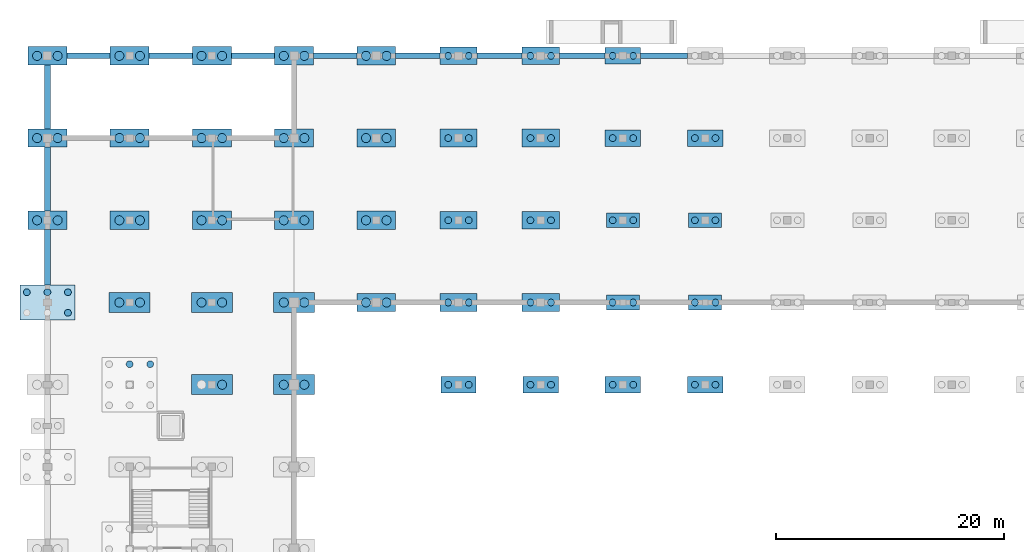
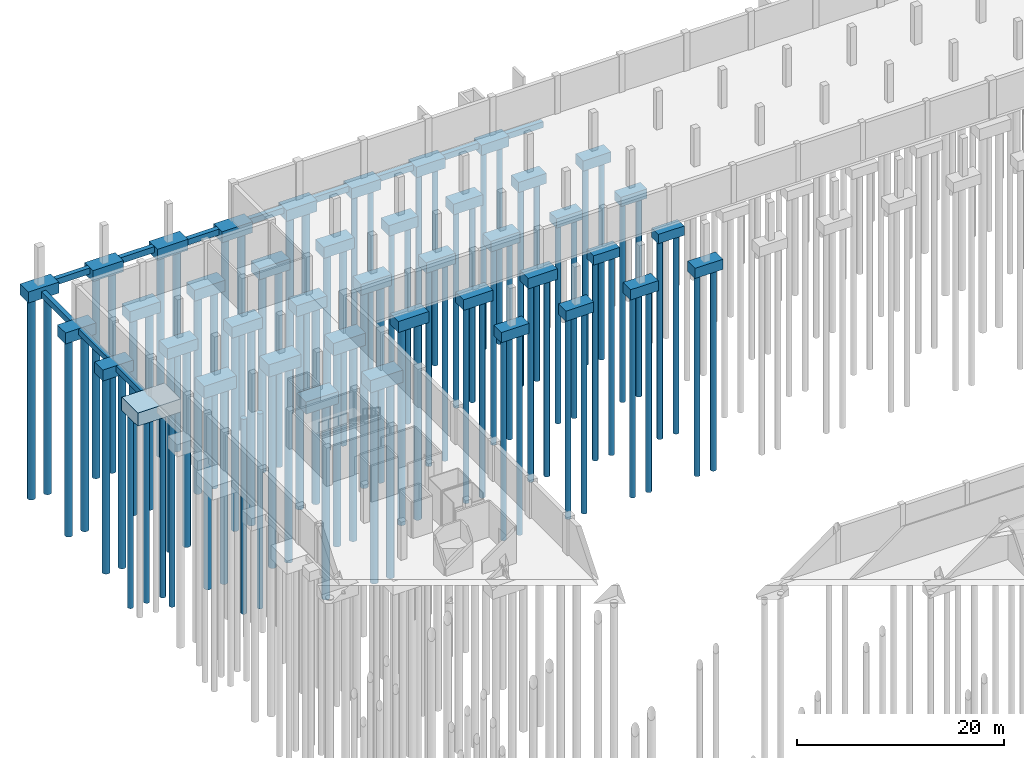
# One storey, part 3 of 18: 85 piles, 52 footings.
"""IFC4 building model written with IfcOpenShell, lengths in metres."""

from ifc_helpers import new_model, si_unit, direction, frame, origin, origin_2d, place, context, subcontext, project, spatial, rectangle, circle, extrude, material, material_profile, profile_set, type_object, element, save


model = new_model("IFC4")

# Units and contexts
model_context = context("Model", 3, precision=1e-05, world=origin(), true_north=direction((0.0, 1.0)))
body_context = subcontext(model_context, "Body", "Model", "MODEL_VIEW")
ifc_project = project(units=[si_unit("LENGTHUNIT", "METRE"), si_unit("AREAUNIT", "SQUARE_METRE"), si_unit("VOLUMEUNIT", "CUBIC_METRE"), si_unit("PLANEANGLEUNIT", "RADIAN"), si_unit("MASSUNIT", "GRAM", prefix="KILO")], contexts=[model_context])

# Site, building, storey
site_placement = place(None, origin())
site = spatial("IfcSite", under=ifc_project, at=site_placement, CompositionType="ELEMENT")
building_placement = place(site_placement, origin())
building = spatial("IfcBuilding", under=site, at=building_placement, Name="Kangsadwip Square Police Headquarters", CompositionType="ELEMENT")
storey_placement = place(building_placement, frame((0.0, 0.0, -4.5)))
storey = spatial("IfcBuildingStorey", under=building, at=storey_placement, Name="B1", CompositionType="ELEMENT", Elevation=-4.5)

# Piles
ifc_material_1 = material(Name="Concrete M30 (30 MPa)", Category="concrete")
ifc_material_profile_1 = material_profile(ifc_material_1, circle(Radius=0.300048828125, at=origin_2d()), Name="PILE DIA 600")
ifc_profile_set_1 = profile_set([ifc_material_profile_1], Name="Concrete M30 (30 MPa)")
pile_type_1 = type_object("IfcPileType", Name="BoredPileDia600", PredefinedType="BORED", material=ifc_profile_set_1)
for number, where, z_axis, x_axis, name in (
    (1, (1.800048828125, 92.699951171875, -1.89990234375), (0.0, 0.0, -1.0), (1.0, 0.0, 0.0), "Bored Pile PILE-B1-0018-0927"),
    (2, (-1.800048828125, 94.5, -1.89990234375), (0.0, 0.0, -1.0), (1.0, 0.0, 0.0), "Bored Pile PILE-B1--018-0945"),
    (3, (0.0, 94.5, -1.89990234375), (0.0, 0.0, -1.0), (1.0, 0.0, 0.0), "Bored Pile PILE-B1-0000-0945"),
    (4, (1.800048828125, 94.5, -1.89990234375), (0.0, 0.0, -1.0), (1.0, 0.0, 0.0), "Bored Pile PILE-B1-0018-0945"),
):
    element("IfcPile", number, at=place(storey_placement, frame(where, z_axis=z_axis, x_axis=x_axis)), inside=storey, type_object=pile_type_1, Name=name, PredefinedType="BORED", context=body_context, shape_type="SweptSolid", body=[
        extrude(circle(Radius=0.300048828125, at=origin_2d()), origin(), (0.0, 0.0, 1.0), 23.10009765625),
    ])
for number, where, z_axis, x_axis, name in (
    (5, (7.199951171875, 88.199951171875, -2.0), (0.0, 0.0, -1.0), (1.0, 0.0, 0.0), "Bored Pile PILE-B1-0072-0882"),
    (6, (9.0, 88.199951171875, -2.0), (0.0, 0.0, -1.0), (1.0, 0.0, 0.0), "Bored Pile PILE-B1-0090-0882"),
):
    element("IfcPile", number, at=place(storey_placement, frame(where, z_axis=z_axis, x_axis=x_axis)), inside=storey, type_object=pile_type_1, Name=name, PredefinedType="BORED", context=body_context, shape_type="SweptSolid", body=[
        extrude(circle(Radius=0.300048828125, at=origin_2d()), origin(), (0.0, 0.0, 1.0), 23.0),
    ])
for number, where, z_axis, x_axis, name in (
    (7, (35.10009765625, 86.39990234375, -1.10009765625), (0.0, 0.0, -1.0), (1.0, 0.0, 0.0), "Bored Pile PILE-B1-0351-0864"),
    (8, (36.89990234375, 86.39990234375, -1.10009765625), (0.0, 0.0, -1.0), (1.0, 0.0, 0.0), "Bored Pile PILE-B1-0369-0864"),
):
    element("IfcPile", number, at=place(storey_placement, frame(where, z_axis=z_axis, x_axis=x_axis)), inside=storey, type_object=pile_type_1, Name=name, PredefinedType="BORED", context=body_context, shape_type="SweptSolid", body=[
        extrude(circle(Radius=0.300048828125, at=origin_2d()), origin(), (0.0, 0.0, 1.0), 23.89990234375),
    ])
for number, where, z_axis, x_axis, name in (
    (9, (35.10009765625, 93.60009765625, -1.60009765625), (0.0, 0.0, -1.0), (1.0, 0.0, 0.0), "Bored Pile PILE-B1-0351-0936"),
    (10, (36.89990234375, 93.60009765625, -1.60009765625), (0.0, 0.0, -1.0), (1.0, 0.0, 0.0), "Bored Pile PILE-B1-0369-0936"),
    (11, (35.10009765625, 100.800048828125, -1.60009765625), (0.0, 0.0, -1.0), (1.0, 0.0, 0.0), "Bored Pile PILE-B1-0351-1008"),
    (12, (36.89990234375, 100.800048828125, -1.60009765625), (0.0, 0.0, -1.0), (1.0, 0.0, 0.0), "Bored Pile PILE-B1-0369-1008"),
    (13, (35.10009765625, 108.0, -1.60009765625), (0.0, 0.0, -1.0), (1.0, 0.0, 0.0), "Bored Pile PILE-B1-0351-1080"),
    (14, (36.89990234375, 108.0, -1.60009765625), (0.0, 0.0, -1.0), (1.0, 0.0, 0.0), "Bored Pile PILE-B1-0369-1080"),
    (15, (35.10009765625, 115.199951171875, -1.60009765625), (0.0, 0.0, -1.0), (1.0, 0.0, 0.0), "Bored Pile PILE-B1-0351-1152"),
    (16, (36.89990234375, 115.199951171875, -1.60009765625), (0.0, 0.0, -1.0), (1.0, 0.0, 0.0), "Bored Pile PILE-B1-0369-1152"),
):
    element("IfcPile", number, at=place(storey_placement, frame(where, z_axis=z_axis, x_axis=x_axis)), inside=storey, type_object=pile_type_1, Name=name, PredefinedType="BORED", context=body_context, shape_type="SweptSolid", body=[
        extrude(circle(Radius=0.300048828125, at=origin_2d()), origin(), (0.0, 0.0, 1.0), 23.39990234375),
    ])
for number, where, z_axis, x_axis, name in (
    (17, (42.300048828125, 86.39990234375, -1.10009765625), (0.0, 0.0, -1.0), (1.0, 0.0, 0.0), "Bored Pile PILE-B1-0423-0864"),
    (18, (44.10009765625, 86.39990234375, -1.10009765625), (0.0, 0.0, -1.0), (1.0, 0.0, 0.0), "Bored Pile PILE-B1-0441-0864"),
):
    element("IfcPile", number, at=place(storey_placement, frame(where, z_axis=z_axis, x_axis=x_axis)), inside=storey, type_object=pile_type_1, Name=name, PredefinedType="BORED", context=body_context, shape_type="SweptSolid", body=[
        extrude(circle(Radius=0.300048828125, at=origin_2d()), origin(), (0.0, 0.0, 1.0), 23.89990234375),
    ])
for number, where, z_axis, x_axis, name in (
    (19, (42.300048828125, 93.60009765625, -1.60009765625), (0.0, 0.0, -1.0), (1.0, 0.0, 0.0), "Bored Pile PILE-B1-0423-0936"),
    (20, (44.10009765625, 93.60009765625, -1.60009765625), (0.0, 0.0, -1.0), (1.0, 0.0, 0.0), "Bored Pile PILE-B1-0441-0936"),
    (21, (42.300048828125, 100.800048828125, -1.60009765625), (0.0, 0.0, -1.0), (1.0, 0.0, 0.0), "Bored Pile PILE-B1-0423-1008"),
    (22, (44.10009765625, 100.800048828125, -1.60009765625), (0.0, 0.0, -1.0), (1.0, 0.0, 0.0), "Bored Pile PILE-B1-0441-1008"),
    (23, (42.300048828125, 108.0, -1.60009765625), (0.0, 0.0, -1.0), (1.0, 0.0, 0.0), "Bored Pile PILE-B1-0423-1080"),
    (24, (44.10009765625, 108.0, -1.60009765625), (0.0, 0.0, -1.0), (1.0, 0.0, 0.0), "Bored Pile PILE-B1-0441-1080"),
    (25, (42.300048828125, 115.199951171875, -1.60009765625), (0.0, 0.0, -1.0), (1.0, 0.0, 0.0), "Bored Pile PILE-B1-0423-1152"),
    (26, (44.10009765625, 115.199951171875, -1.60009765625), (0.0, 0.0, -1.0), (1.0, 0.0, 0.0), "Bored Pile PILE-B1-0441-1152"),
):
    element("IfcPile", number, at=place(storey_placement, frame(where, z_axis=z_axis, x_axis=x_axis)), inside=storey, type_object=pile_type_1, Name=name, PredefinedType="BORED", context=body_context, shape_type="SweptSolid", body=[
        extrude(circle(Radius=0.300048828125, at=origin_2d()), origin(), (0.0, 0.0, 1.0), 23.39990234375),
    ])
for number, where, z_axis, x_axis, name in (
    (27, (49.5, 86.39990234375, -1.10009765625), (0.0, 0.0, -1.0), (1.0, 0.0, 0.0), "Bored Pile PILE-B1-0495-0864"),
    (28, (51.300048828125, 86.39990234375, -1.10009765625), (0.0, 0.0, -1.0), (1.0, 0.0, 0.0), "Bored Pile PILE-B1-0513-0864"),
):
    element("IfcPile", number, at=place(storey_placement, frame(where, z_axis=z_axis, x_axis=x_axis)), inside=storey, type_object=pile_type_1, Name=name, PredefinedType="BORED", context=body_context, shape_type="SweptSolid", body=[
        extrude(circle(Radius=0.300048828125, at=origin_2d()), origin(), (0.0, 0.0, 1.0), 23.89990234375),
    ])
for number, where, z_axis, x_axis, name in (
    (29, (49.5, 93.60009765625, -1.449951171875), (0.0, 0.0, -1.0), (1.0, 0.0, 0.0), "Bored Pile PILE-B1-0495-0936"),
    (30, (51.300048828125, 93.60009765625, -1.449951171875), (0.0, 0.0, -1.0), (1.0, 0.0, 0.0), "Bored Pile PILE-B1-0513-0936"),
    (31, (49.5, 100.800048828125, -1.449951171875), (0.0, 0.0, -1.0), (1.0, 0.0, 0.0), "Bored Pile PILE-B1-0495-1008"),
    (32, (51.300048828125, 100.800048828125, -1.449951171875), (0.0, 0.0, -1.0), (1.0, 0.0, 0.0), "Bored Pile PILE-B1-0513-1008"),
):
    element("IfcPile", number, at=place(storey_placement, frame(where, z_axis=z_axis, x_axis=x_axis)), inside=storey, type_object=pile_type_1, Name=name, PredefinedType="BORED", context=body_context, shape_type="SweptSolid", body=[
        extrude(circle(Radius=0.300048828125, at=origin_2d()), origin(), (0.0, 0.0, 1.0), 23.550048828125),
    ])
for number, where, z_axis, x_axis, name in (
    (33, (49.5, 108.0, -1.550048828125), (0.0, 0.0, -1.0), (1.0, 0.0, 0.0), "Bored Pile PILE-B1-0495-1080"),
    (34, (51.300048828125, 108.0, -1.550048828125), (0.0, 0.0, -1.0), (1.0, 0.0, 0.0), "Bored Pile PILE-B1-0513-1080"),
    (35, (49.5, 115.199951171875, -1.550048828125), (0.0, 0.0, -1.0), (1.0, 0.0, 0.0), "Bored Pile PILE-B1-0495-1152"),
    (36, (51.300048828125, 115.199951171875, -1.550048828125), (0.0, 0.0, -1.0), (1.0, 0.0, 0.0), "Bored Pile PILE-B1-0513-1152"),
):
    element("IfcPile", number, at=place(storey_placement, frame(where, z_axis=z_axis, x_axis=x_axis)), inside=storey, type_object=pile_type_1, Name=name, PredefinedType="BORED", context=body_context, shape_type="SweptSolid", body=[
        extrude(circle(Radius=0.300048828125, at=origin_2d()), origin(), (0.0, 0.0, 1.0), 23.449951171875),
    ])
for number, where, z_axis, x_axis, name in (
    (37, (56.699951171875, 86.39990234375, -1.10009765625), (0.0, 0.0, -1.0), (1.0, 0.0, 0.0), "Bored Pile PILE-B1-0567-0864"),
    (38, (58.5, 86.39990234375, -1.10009765625), (0.0, 0.0, -1.0), (1.0, 0.0, 0.0), "Bored Pile PILE-B1-0585-0864"),
):
    element("IfcPile", number, at=place(storey_placement, frame(where, z_axis=z_axis, x_axis=x_axis)), inside=storey, type_object=pile_type_1, Name=name, PredefinedType="BORED", context=body_context, shape_type="SweptSolid", body=[
        extrude(circle(Radius=0.300048828125, at=origin_2d()), origin(), (0.0, 0.0, 1.0), 23.89990234375),
    ])
for number, where, z_axis, x_axis, name in (
    (39, (56.699951171875, 93.60009765625, -1.449951171875), (0.0, 0.0, -1.0), (1.0, 0.0, 0.0), "Bored Pile PILE-B1-0567-0936"),
    (40, (58.5, 93.60009765625, -1.449951171875), (0.0, 0.0, -1.0), (1.0, 0.0, 0.0), "Bored Pile PILE-B1-0585-0936"),
    (41, (56.699951171875, 100.800048828125, -1.449951171875), (0.0, 0.0, -1.0), (1.0, 0.0, 0.0), "Bored Pile PILE-B1-0567-1008"),
    (42, (58.5, 100.800048828125, -1.449951171875), (0.0, 0.0, -1.0), (1.0, 0.0, 0.0), "Bored Pile PILE-B1-0585-1008"),
):
    element("IfcPile", number, at=place(storey_placement, frame(where, z_axis=z_axis, x_axis=x_axis)), inside=storey, type_object=pile_type_1, Name=name, PredefinedType="BORED", context=body_context, shape_type="SweptSolid", body=[
        extrude(circle(Radius=0.300048828125, at=origin_2d()), origin(), (0.0, 0.0, 1.0), 23.550048828125),
    ])
for number, where, z_axis, x_axis, name in (
    (43, (56.699951171875, 108.0, -1.550048828125), (0.0, 0.0, -1.0), (1.0, 0.0, 0.0), "Bored Pile PILE-B1-0567-1080"),
    (44, (58.5, 108.0, -1.550048828125), (0.0, 0.0, -1.0), (1.0, 0.0, 0.0), "Bored Pile PILE-B1-0585-1080"),
):
    element("IfcPile", number, at=place(storey_placement, frame(where, z_axis=z_axis, x_axis=x_axis)), inside=storey, type_object=pile_type_1, Name=name, PredefinedType="BORED", context=body_context, shape_type="SweptSolid", body=[
        extrude(circle(Radius=0.300048828125, at=origin_2d()), origin(), (0.0, 0.0, 1.0), 23.449951171875),
    ])
ifc_material_2 = material(Name="Concrete M30 (30 MPa)", Category="concrete")
ifc_material_profile_2 = material_profile(ifc_material_2, circle(Radius=0.39990234375, at=origin_2d()), Name="PILE DIA 800")
ifc_profile_set_2 = profile_set([ifc_material_profile_2], Name="Concrete M30 (30 MPa)")
pile_type_2 = type_object("IfcPileType", Name="BoredPileDia800", PredefinedType="BORED", material=ifc_profile_set_2)
for number, where, z_axis, x_axis, name in (
    (45, (-0.89990234375, 100.800048828125, -1.64990234375), (0.0, 0.0, -1.0), (1.0, 0.0, 0.0), "Bored Pile PILE-B1--009-1008"),
    (46, (0.89990234375, 100.800048828125, -1.64990234375), (0.0, 0.0, -1.0), (1.0, 0.0, 0.0), "Bored Pile PILE-B1-0009-1008"),
    (47, (-0.89990234375, 108.0, -1.64990234375), (0.0, 0.0, -1.0), (1.0, 0.0, 0.0), "Bored Pile PILE-B1--009-1080"),
    (48, (0.89990234375, 108.0, -1.64990234375), (0.0, 0.0, -1.0), (1.0, 0.0, 0.0), "Bored Pile PILE-B1-0009-1080"),
):
    element("IfcPile", number, at=place(storey_placement, frame(where, z_axis=z_axis, x_axis=x_axis)), inside=storey, type_object=pile_type_2, Name=name, PredefinedType="BORED", context=body_context, shape_type="SweptSolid", body=[
        extrude(circle(Radius=0.39990234375, at=origin_2d()), origin(), (0.0, 0.0, 1.0), 23.35009765625),
    ])
for number, where, z_axis, x_axis, name in (
    (49, (-0.89990234375, 115.199951171875, -1.199951171875), (0.0, 0.0, -1.0), (1.0, 0.0, 0.0), "Bored Pile PILE-B1--009-1152"),
    (50, (0.89990234375, 115.199951171875, -1.199951171875), (0.0, 0.0, -1.0), (1.0, 0.0, 0.0), "Bored Pile PILE-B1-0009-1152"),
):
    element("IfcPile", number, at=place(storey_placement, frame(where, z_axis=z_axis, x_axis=x_axis)), inside=storey, type_object=pile_type_2, Name=name, PredefinedType="BORED", context=body_context, shape_type="SweptSolid", body=[
        extrude(circle(Radius=0.39990234375, at=origin_2d()), origin(), (0.0, 0.0, 1.0), 23.800048828125),
    ])
for number, where, z_axis, x_axis, name in (
    (51, (6.300048828125, 93.60009765625, -1.800048828125), (0.0, 0.0, -1.0), (1.0, 0.0, 0.0), "Bored Pile PILE-B1-0063-0936"),
    (52, (8.10009765625, 93.60009765625, -1.800048828125), (0.0, 0.0, -1.0), (1.0, 0.0, 0.0), "Bored Pile PILE-B1-0081-0936"),
):
    element("IfcPile", number, at=place(storey_placement, frame(where, z_axis=z_axis, x_axis=x_axis)), inside=storey, type_object=pile_type_2, Name=name, PredefinedType="BORED", context=body_context, shape_type="SweptSolid", body=[
        extrude(circle(Radius=0.39990234375, at=origin_2d()), origin(), (0.0, 0.0, 1.0), 23.199951171875),
    ])
for number, where, z_axis, x_axis, name in (
    (53, (6.300048828125, 100.800048828125, -1.64990234375), (0.0, 0.0, -1.0), (1.0, 0.0, 0.0), "Bored Pile PILE-B1-0063-1008"),
    (54, (8.10009765625, 100.800048828125, -1.64990234375), (0.0, 0.0, -1.0), (1.0, 0.0, 0.0), "Bored Pile PILE-B1-0081-1008"),
    (55, (6.300048828125, 108.0, -1.64990234375), (0.0, 0.0, -1.0), (1.0, 0.0, 0.0), "Bored Pile PILE-B1-0063-1080"),
    (56, (8.10009765625, 108.0, -1.64990234375), (0.0, 0.0, -1.0), (1.0, 0.0, 0.0), "Bored Pile PILE-B1-0081-1080"),
):
    element("IfcPile", number, at=place(storey_placement, frame(where, z_axis=z_axis, x_axis=x_axis)), inside=storey, type_object=pile_type_2, Name=name, PredefinedType="BORED", context=body_context, shape_type="SweptSolid", body=[
        extrude(circle(Radius=0.39990234375, at=origin_2d()), origin(), (0.0, 0.0, 1.0), 23.35009765625),
    ])
for number, where, z_axis, x_axis, name in (
    (57, (6.300048828125, 115.199951171875, -1.199951171875), (0.0, 0.0, -1.0), (1.0, 0.0, 0.0), "Bored Pile PILE-B1-0063-1152"),
    (58, (8.10009765625, 115.199951171875, -1.199951171875), (0.0, 0.0, -1.0), (1.0, 0.0, 0.0), "Bored Pile PILE-B1-0081-1152"),
):
    element("IfcPile", number, at=place(storey_placement, frame(where, z_axis=z_axis, x_axis=x_axis)), inside=storey, type_object=pile_type_2, Name=name, PredefinedType="BORED", context=body_context, shape_type="SweptSolid", body=[
        extrude(circle(Radius=0.39990234375, at=origin_2d()), origin(), (0.0, 0.0, 1.0), 23.800048828125),
    ])
for number, where, z_axis, x_axis, name in (
    (59, (15.300048828125, 86.39990234375, -1.800048828125), (0.0, 0.0, -1.0), (1.0, 0.0, 0.0), "Bored Pile PILE-B1-0153-0864"),
    (60, (13.5, 93.60009765625, -1.800048828125), (0.0, 0.0, -1.0), (1.0, 0.0, 0.0), "Bored Pile PILE-B1-0135-0936"),
    (61, (15.300048828125, 93.60009765625, -1.800048828125), (0.0, 0.0, -1.0), (1.0, 0.0, 0.0), "Bored Pile PILE-B1-0153-0936"),
):
    element("IfcPile", number, at=place(storey_placement, frame(where, z_axis=z_axis, x_axis=x_axis)), inside=storey, type_object=pile_type_2, Name=name, PredefinedType="BORED", context=body_context, shape_type="SweptSolid", body=[
        extrude(circle(Radius=0.39990234375, at=origin_2d()), origin(), (0.0, 0.0, 1.0), 23.199951171875),
    ])
for number, where, z_axis, x_axis, name in (
    (62, (13.5, 100.800048828125, -1.64990234375), (0.0, 0.0, -1.0), (1.0, 0.0, 0.0), "Bored Pile PILE-B1-0135-1008"),
    (63, (15.300048828125, 100.800048828125, -1.64990234375), (0.0, 0.0, -1.0), (1.0, 0.0, 0.0), "Bored Pile PILE-B1-0153-1008"),
    (64, (13.5, 108.0, -1.64990234375), (0.0, 0.0, -1.0), (1.0, 0.0, 0.0), "Bored Pile PILE-B1-0135-1080"),
    (65, (15.300048828125, 108.0, -1.64990234375), (0.0, 0.0, -1.0), (1.0, 0.0, 0.0), "Bored Pile PILE-B1-0153-1080"),
):
    element("IfcPile", number, at=place(storey_placement, frame(where, z_axis=z_axis, x_axis=x_axis)), inside=storey, type_object=pile_type_2, Name=name, PredefinedType="BORED", context=body_context, shape_type="SweptSolid", body=[
        extrude(circle(Radius=0.39990234375, at=origin_2d()), origin(), (0.0, 0.0, 1.0), 23.35009765625),
    ])
for number, where, z_axis, x_axis, name in (
    (66, (13.5, 115.199951171875, -1.199951171875), (0.0, 0.0, -1.0), (1.0, 0.0, 0.0), "Bored Pile PILE-B1-0135-1152"),
    (67, (15.300048828125, 115.199951171875, -1.199951171875), (0.0, 0.0, -1.0), (1.0, 0.0, 0.0), "Bored Pile PILE-B1-0153-1152"),
):
    element("IfcPile", number, at=place(storey_placement, frame(where, z_axis=z_axis, x_axis=x_axis)), inside=storey, type_object=pile_type_2, Name=name, PredefinedType="BORED", context=body_context, shape_type="SweptSolid", body=[
        extrude(circle(Radius=0.39990234375, at=origin_2d()), origin(), (0.0, 0.0, 1.0), 23.800048828125),
    ])
for number, where, z_axis, x_axis, name in (
    (68, (20.699951171875, 86.39990234375, -1.800048828125), (0.0, 0.0, -1.0), (1.0, 0.0, 0.0), "Bored Pile PILE-B1-0207-0864"),
    (69, (22.5, 86.39990234375, -1.800048828125), (0.0, 0.0, -1.0), (1.0, 0.0, 0.0), "Bored Pile PILE-B1-0225-0864"),
    (70, (20.699951171875, 93.60009765625, -1.800048828125), (0.0, 0.0, -1.0), (1.0, 0.0, 0.0), "Bored Pile PILE-B1-0207-0936"),
    (71, (22.5, 93.60009765625, -1.800048828125), (0.0, 0.0, -1.0), (1.0, 0.0, 0.0), "Bored Pile PILE-B1-0225-0936"),
):
    element("IfcPile", number, at=place(storey_placement, frame(where, z_axis=z_axis, x_axis=x_axis)), inside=storey, type_object=pile_type_2, Name=name, PredefinedType="BORED", context=body_context, shape_type="SweptSolid", body=[
        extrude(circle(Radius=0.39990234375, at=origin_2d()), origin(), (0.0, 0.0, 1.0), 23.199951171875),
    ])
for number, where, z_axis, x_axis, name in (
    (72, (20.699951171875, 100.800048828125, -1.64990234375), (0.0, 0.0, -1.0), (1.0, 0.0, 0.0), "Bored Pile PILE-B1-0207-1008"),
    (73, (22.5, 100.800048828125, -1.64990234375), (0.0, 0.0, -1.0), (1.0, 0.0, 0.0), "Bored Pile PILE-B1-0225-1008"),
    (74, (20.699951171875, 108.0, -1.64990234375), (0.0, 0.0, -1.0), (1.0, 0.0, 0.0), "Bored Pile PILE-B1-0207-1080"),
    (75, (22.5, 108.0, -1.64990234375), (0.0, 0.0, -1.0), (1.0, 0.0, 0.0), "Bored Pile PILE-B1-0225-1080"),
    (76, (20.699951171875, 115.199951171875, -1.64990234375), (0.0, 0.0, -1.0), (1.0, 0.0, 0.0), "Bored Pile PILE-B1-0207-1152"),
    (77, (22.5, 115.199951171875, -1.64990234375), (0.0, 0.0, -1.0), (1.0, 0.0, 0.0), "Bored Pile PILE-B1-0225-1152"),
    (78, (27.89990234375, 93.60009765625, -1.64990234375), (0.0, 0.0, -1.0), (1.0, 0.0, 0.0), "Bored Pile PILE-B1-0279-0936"),
    (79, (29.699951171875, 93.60009765625, -1.64990234375), (0.0, 0.0, -1.0), (1.0, 0.0, 0.0), "Bored Pile PILE-B1-0297-0936"),
    (80, (27.89990234375, 100.800048828125, -1.64990234375), (0.0, 0.0, -1.0), (1.0, 0.0, 0.0), "Bored Pile PILE-B1-0279-1008"),
    (81, (29.699951171875, 100.800048828125, -1.64990234375), (0.0, 0.0, -1.0), (1.0, 0.0, 0.0), "Bored Pile PILE-B1-0297-1008"),
    (82, (27.89990234375, 108.0, -1.64990234375), (0.0, 0.0, -1.0), (1.0, 0.0, 0.0), "Bored Pile PILE-B1-0279-1080"),
    (83, (29.699951171875, 108.0, -1.64990234375), (0.0, 0.0, -1.0), (1.0, 0.0, 0.0), "Bored Pile PILE-B1-0297-1080"),
    (84, (27.89990234375, 115.199951171875, -1.64990234375), (0.0, 0.0, -1.0), (1.0, 0.0, 0.0), "Bored Pile PILE-B1-0279-1152"),
    (85, (29.699951171875, 115.199951171875, -1.64990234375), (0.0, 0.0, -1.0), (1.0, 0.0, 0.0), "Bored Pile PILE-B1-0297-1152"),
):
    element("IfcPile", number, at=place(storey_placement, frame(where, z_axis=z_axis, x_axis=x_axis)), inside=storey, type_object=pile_type_2, Name=name, PredefinedType="BORED", context=body_context, shape_type="SweptSolid", body=[
        extrude(circle(Radius=0.39990234375, at=origin_2d()), origin(), (0.0, 0.0, 1.0), 23.35009765625),
    ])

# Footings
ifc_material_3 = material(Name="Concrete M35 (35 MPa)", Category="concrete")
footing_type_1 = type_object("IfcFootingType", Name="PileCap2P2900x1300x1100", PredefinedType="PILE_CAP", material=ifc_material_3)
for number, where, z_axis, x_axis, name in (
    (86, (50.39990234375, 93.60009765625, -1.550048828125), (0.0, 0.0, 1.0), (1.0, 0.0, 0.0), "Pile Cap PC-B1-099"),
    (87, (50.39990234375, 100.800048828125, -1.550048828125), (0.0, 0.0, 1.0), (1.0, 0.0, 0.0), "Pile Cap PC-B1-100"),
    (88, (57.60009765625, 93.60009765625, -1.550048828125), (0.0, 0.0, 1.0), (1.0, 0.0, 0.0), "Pile Cap PC-B1-107"),
    (89, (57.60009765625, 100.800048828125, -1.550048828125), (0.0, 0.0, 1.0), (1.0, 0.0, 0.0), "Pile Cap PC-B1-108"),
):
    element("IfcFooting", number, at=place(storey_placement, frame(where, z_axis=z_axis, x_axis=x_axis)), inside=storey, type_object=footing_type_1, Name=name, PredefinedType="PILE_CAP", context=body_context, shape_type="SweptSolid", body=[
        extrude(rectangle(XDim=2.89990234375, YDim=1.300048828125, at=origin_2d()), origin(), (0.0, 0.0, 1.0), 1.10009765625),
    ])
ifc_material_4 = material(Name="Concrete M35 (35 MPa)", Category="concrete")
footing_type_2 = type_object("IfcFootingType", Name="PileCap2P3100x1450x1200", PredefinedType="PILE_CAP", material=ifc_material_4)
for number, where, z_axis, x_axis, name in (
    (90, (36.0, 86.39990234375, -1.2001953125), (0.0, 0.0, 1.0), (1.0, 0.0, 0.0), "Pile Cap PC-B1-082"),
    (91, (43.199951171875, 86.39990234375, -1.2001953125), (0.0, 0.0, 1.0), (1.0, 0.0, 0.0), "Pile Cap PC-B1-090"),
    (92, (50.39990234375, 86.39990234375, -1.2001953125), (0.0, 0.0, 1.0), (1.0, 0.0, 0.0), "Pile Cap PC-B1-098"),
    (93, (50.39990234375, 108.0, -1.64990234375), (0.0, 0.0, 1.0), (1.0, 0.0, 0.0), "Pile Cap PC-B1-101"),
    (94, (50.39990234375, 115.199951171875, -1.64990234375), (0.0, 0.0, 1.0), (1.0, 0.0, 0.0), "Pile Cap PC-B1-102"),
    (95, (57.60009765625, 86.39990234375, -1.2001953125), (0.0, 0.0, 1.0), (1.0, 0.0, 0.0), "Pile Cap PC-B1-106"),
    (96, (57.60009765625, 108.0, -1.64990234375), (0.0, 0.0, 1.0), (1.0, 0.0, 0.0), "Pile Cap PC-B1-109"),
):
    element("IfcFooting", number, at=place(storey_placement, frame(where, z_axis=z_axis, x_axis=x_axis)), inside=storey, type_object=footing_type_2, Name=name, PredefinedType="PILE_CAP", context=body_context, shape_type="SweptSolid", body=[
        extrude(rectangle(XDim=3.10009765625, YDim=1.449951171875, at=origin_2d()), origin(), (0.0, 0.0, 1.0), 1.199951171875),
    ])
ifc_material_5 = material(Name="Concrete M35 (35 MPa)", Category="concrete")
footing_type_3 = type_object("IfcFootingType", Name="PileCap2P3250x1550x1250", PredefinedType="PILE_CAP", material=ifc_material_5)
for number, where, z_axis, x_axis, name in (
    (97, (36.0, 93.60009765625, -1.699951171875), (0.0, 0.0, 1.0), (1.0, 0.0, 0.0), "Pile Cap PC-B1-083"),
    (98, (36.0, 100.800048828125, -1.699951171875), (0.0, 0.0, 1.0), (1.0, 0.0, 0.0), "Pile Cap PC-B1-084"),
    (99, (36.0, 108.0, -1.699951171875), (0.0, 0.0, 1.0), (1.0, 0.0, 0.0), "Pile Cap PC-B1-085"),
    (100, (36.0, 115.199951171875, -1.699951171875), (0.0, 0.0, 1.0), (1.0, 0.0, 0.0), "Pile Cap PC-B1-086"),
    (101, (43.199951171875, 93.60009765625, -1.699951171875), (0.0, 0.0, 1.0), (1.0, 0.0, 0.0), "Pile Cap PC-B1-091"),
    (102, (43.199951171875, 100.800048828125, -1.699951171875), (0.0, 0.0, 1.0), (1.0, 0.0, 0.0), "Pile Cap PC-B1-092"),
    (103, (43.199951171875, 108.0, -1.699951171875), (0.0, 0.0, 1.0), (1.0, 0.0, 0.0), "Pile Cap PC-B1-093"),
    (104, (43.199951171875, 115.199951171875, -1.699951171875), (0.0, 0.0, 1.0), (1.0, 0.0, 0.0), "Pile Cap PC-B1-094"),
):
    element("IfcFooting", number, at=place(storey_placement, frame(where, z_axis=z_axis, x_axis=x_axis)), inside=storey, type_object=footing_type_3, Name=name, PredefinedType="PILE_CAP", context=body_context, shape_type="SweptSolid", body=[
        extrude(rectangle(XDim=3.25, YDim=1.550048828125, at=origin_2d()), origin(), (0.0, 0.0, 1.0), 1.25),
    ])
ifc_material_6 = material(Name="Concrete M35 (35 MPa)", Category="concrete")
footing_type_4 = type_object("IfcFootingType", Name="PileCap2P3400x1600x1300", PredefinedType="PILE_CAP", material=ifc_material_6)
for number, where, z_axis, x_axis, name in (
    (105, (0.0, 100.800048828125, -1.75), (0.0, 0.0, 1.0), (1.0, 0.0, 0.0), "Pile Cap PC-B1-015"),
    (106, (0.0, 108.0, -1.75), (0.0, 0.0, 1.0), (1.0, 0.0, 0.0), "Pile Cap PC-B1-016"),
    (107, (0.0, 115.199951171875, -1.2998046875), (0.0, 0.0, 1.0), (1.0, 0.0, 0.0), "Pile Cap PC-B1-017"),
    (108, (7.199951171875, 100.800048828125, -1.75), (0.0, 0.0, 1.0), (1.0, 0.0, 0.0), "Pile Cap PC-B1-032"),
    (109, (7.199951171875, 108.0, -1.75), (0.0, 0.0, 1.0), (1.0, 0.0, 0.0), "Pile Cap PC-B1-033"),
    (110, (7.199951171875, 115.199951171875, -1.2998046875), (0.0, 0.0, 1.0), (1.0, 0.0, 0.0), "Pile Cap PC-B1-034"),
    (111, (14.39990234375, 100.800048828125, -1.75), (0.0, 0.0, 1.0), (1.0, 0.0, 0.0), "Pile Cap PC-B1-049"),
    (112, (14.39990234375, 108.0, -1.75), (0.0, 0.0, 1.0), (1.0, 0.0, 0.0), "Pile Cap PC-B1-050"),
    (113, (14.39990234375, 115.199951171875, -1.2998046875), (0.0, 0.0, 1.0), (1.0, 0.0, 0.0), "Pile Cap PC-B1-051"),
    (114, (21.60009765625, 100.800048828125, -1.75), (0.0, 0.0, 1.0), (1.0, 0.0, 0.0), "Pile Cap PC-B1-066"),
    (115, (21.60009765625, 108.0, -1.75), (0.0, 0.0, 1.0), (1.0, 0.0, 0.0), "Pile Cap PC-B1-067"),
    (116, (21.60009765625, 115.199951171875, -1.75), (0.0, 0.0, 1.0), (1.0, 0.0, 0.0), "Pile Cap PC-B1-068"),
    (117, (28.800048828125, 93.60009765625, -1.75), (0.0, 0.0, 1.0), (1.0, 0.0, 0.0), "Pile Cap PC-B1-075"),
    (118, (28.800048828125, 100.800048828125, -1.75), (0.0, 0.0, 1.0), (1.0, 0.0, 0.0), "Pile Cap PC-B1-076"),
    (119, (28.800048828125, 108.0, -1.75), (0.0, 0.0, 1.0), (1.0, 0.0, 0.0), "Pile Cap PC-B1-077"),
    (120, (28.800048828125, 115.199951171875, -1.75), (0.0, 0.0, 1.0), (1.0, 0.0, 0.0), "Pile Cap PC-B1-078"),
):
    element("IfcFooting", number, at=place(storey_placement, frame(where, z_axis=z_axis, x_axis=x_axis)), inside=storey, type_object=footing_type_4, Name=name, PredefinedType="PILE_CAP", context=body_context, shape_type="SweptSolid", body=[
        extrude(rectangle(XDim=3.39990234375, YDim=1.60009765625, at=origin_2d()), origin(), (0.0, 0.0, 1.0), 1.300048828125),
    ])
ifc_material_7 = material(Name="Concrete M35 (35 MPa)", Category="concrete")
footing_type_5 = type_object("IfcFootingType", Name="PileCap2P3600x1750x1450", PredefinedType="PILE_CAP", material=ifc_material_7)
for number, where, z_axis, x_axis, name in (
    (121, (7.199951171875, 93.60009765625, -1.89990234375), (0.0, 0.0, 1.0), (1.0, 0.0, 0.0), "Pile Cap PC-B1-031"),
    (122, (14.39990234375, 86.39990234375, -1.89990234375), (0.0, 0.0, 1.0), (1.0, 0.0, 0.0), "Pile Cap PC-B1-047"),
    (123, (14.39990234375, 93.60009765625, -1.89990234375), (0.0, 0.0, 1.0), (1.0, 0.0, 0.0), "Pile Cap PC-B1-048"),
    (124, (21.60009765625, 86.39990234375, -1.89990234375), (0.0, 0.0, 1.0), (1.0, 0.0, 0.0), "Pile Cap PC-B1-064"),
    (125, (21.60009765625, 93.60009765625, -1.89990234375), (0.0, 0.0, 1.0), (1.0, 0.0, 0.0), "Pile Cap PC-B1-065"),
):
    element("IfcFooting", number, at=place(storey_placement, frame(where, z_axis=z_axis, x_axis=x_axis)), inside=storey, type_object=footing_type_5, Name=name, PredefinedType="PILE_CAP", context=body_context, shape_type="SweptSolid", body=[
        extrude(rectangle(XDim=3.60009765625, YDim=1.75, at=origin_2d()), origin(), (0.0, 0.0, 1.0), 1.449951171875),
    ])
ifc_material_8 = material(Name="Concrete M35 (35 MPa)", Category="concrete")
footing_type_6 = type_object("IfcFootingType", Name="PileCap6P4800x3100x1550", PredefinedType="PILE_CAP", material=ifc_material_8)
footing_1_placement = place(storey_placement, frame((0.0, 93.60009765625, -2.0), z_axis=(0.0, 0.0, 1.0), x_axis=(1.0, 0.0, 0.0)))
element("IfcFooting", 126, at=footing_1_placement, inside=storey, type_object=footing_type_6, Name="Pile Cap PC-B1-014", PredefinedType="PILE_CAP", context=body_context, shape_type="SweptSolid", body=[
    extrude(rectangle(XDim=4.800048828125, YDim=3.10009765625, at=origin_2d()), origin(), (0.0, 0.0, 1.0), 1.550048828125),
])
ifc_material_9 = material(Name="Concrete M35 (35 MPa)", Category="concrete")
footing_type_7 = type_object("IfcFootingType", Name="TieGroundBeam3800x500", PredefinedType="FOOTING_BEAM", material=ifc_material_9)
for number, where, z_axis, x_axis, name in (
    (127, (3.60009765625, 115.199951171875, -0.7001953125), (0.0, 0.0, 1.0), (1.0, 0.0, 0.0), "Foundation GB-B1-018"),
    (128, (10.800048828125, 115.199951171875, -0.7001953125), (0.0, 0.0, 1.0), (1.0, 0.0, 0.0), "Foundation GB-B1-020"),
    (129, (18.0, 115.199951171875, -1.14990234375), (0.0, 0.0, 1.0), (1.0, 0.0, 0.0), "Foundation GB-B1-022"),
    (130, (25.199951171875, 115.199951171875, -1.14990234375), (0.0, 0.0, 1.0), (1.0, 0.0, 0.0), "Foundation GB-B1-024"),
):
    element("IfcFooting", number, at=place(storey_placement, frame(where, z_axis=z_axis, x_axis=x_axis)), inside=storey, type_object=footing_type_7, Name=name, PredefinedType="FOOTING_BEAM", context=body_context, shape_type="SweptSolid", body=[
        extrude(rectangle(XDim=3.800048828125, YDim=0.5, at=origin_2d()), origin(), (0.0, 0.0, 1.0), 0.699951171875),
    ])
ifc_material_10 = material(Name="Concrete M35 (35 MPa)", Category="concrete")
footing_type_8 = type_object("IfcFootingType", Name="TieGroundBeam3875x500", PredefinedType="FOOTING_BEAM", material=ifc_material_10)
footing_2_placement = place(storey_placement, frame((32.4375, 115.199951171875, -1.14990234375), z_axis=(0.0, 0.0, 1.0), x_axis=(1.0, 0.0, 0.0)))
element("IfcFooting", 131, at=footing_2_placement, inside=storey, type_object=footing_type_8, Name="Foundation GB-B1-025", PredefinedType="FOOTING_BEAM", context=body_context, shape_type="SweptSolid", body=[
    extrude(rectangle(XDim=3.875, YDim=0.5, at=origin_2d()), origin(), (0.0, 0.0, 1.0), 0.699951171875),
])
ifc_material_11 = material(Name="Concrete M35 (35 MPa)", Category="concrete")
footing_type_9 = type_object("IfcFootingType", Name="TieGroundBeam3950x500", PredefinedType="FOOTING_BEAM", material=ifc_material_11)
footing_3_placement = place(storey_placement, frame((39.60009765625, 115.199951171875, -1.14990234375), z_axis=(0.0, 0.0, 1.0), x_axis=(1.0, 0.0, 0.0)))
element("IfcFooting", 132, at=footing_3_placement, inside=storey, type_object=footing_type_9, Name="Foundation GB-B1-026", PredefinedType="FOOTING_BEAM", context=body_context, shape_type="SweptSolid", body=[
    extrude(rectangle(XDim=3.949951171875, YDim=0.5, at=origin_2d()), origin(), (0.0, 0.0, 1.0), 0.699951171875),
])
ifc_material_12 = material(Name="Concrete M35 (35 MPa)", Category="concrete")
footing_type_10 = type_object("IfcFootingType", Name="TieGroundBeam4025x500", PredefinedType="FOOTING_BEAM", material=ifc_material_12)
footing_4_placement = place(storey_placement, frame((46.83740234375, 115.199951171875, -1.14990234375), z_axis=(0.0, 0.0, 1.0), x_axis=(1.0, 0.0, 0.0)))
element("IfcFooting", 133, at=footing_4_placement, inside=storey, type_object=footing_type_10, Name="Foundation GB-B1-027", PredefinedType="FOOTING_BEAM", context=body_context, shape_type="SweptSolid", body=[
    extrude(rectangle(XDim=4.02490234375, YDim=0.5, at=origin_2d()), origin(), (0.0, 0.0, 1.0), 0.699951171875),
])
ifc_material_13 = material(Name="Concrete M35 (35 MPa)", Category="concrete")
footing_type_11 = type_object("IfcFootingType", Name="TieGroundBeam4100x500", PredefinedType="FOOTING_BEAM", material=ifc_material_13)
footing_5_placement = place(storey_placement, frame((54.0, 115.199951171875, -1.14990234375), z_axis=(0.0, 0.0, 1.0), x_axis=(1.0, 0.0, 0.0)))
element("IfcFooting", 134, at=footing_5_placement, inside=storey, type_object=footing_type_11, Name="Foundation GB-B1-028", PredefinedType="FOOTING_BEAM", context=body_context, shape_type="SweptSolid", body=[
    extrude(rectangle(XDim=4.10009765625, YDim=0.5, at=origin_2d()), origin(), (0.0, 0.0, 1.0), 0.699951171875),
])
ifc_material_14 = material(Name="Concrete M35 (35 MPa)", Category="concrete")
footing_type_12 = type_object("IfcFootingType", Name="TieGroundBeam4850x500", PredefinedType="FOOTING_BEAM", material=ifc_material_14)
footing_6_placement = place(storey_placement, frame((0.0, 97.574951171875, -1.14990234375), z_axis=(0.0, 0.0, 1.0), x_axis=(0.0, 1.0, 0.0)))
element("IfcFooting", 135, at=footing_6_placement, inside=storey, type_object=footing_type_12, Name="Foundation GB-B1-015", PredefinedType="FOOTING_BEAM", context=body_context, shape_type="SweptSolid", body=[
    extrude(rectangle(XDim=4.85009765625, YDim=0.5, at=origin_2d()), origin(), (0.0, 0.0, 1.0), 0.699951171875),
])
ifc_material_15 = material(Name="Concrete M35 (35 MPa)", Category="concrete")
footing_type_13 = type_object("IfcFootingType", Name="TieGroundBeam5600x500", PredefinedType="FOOTING_BEAM", material=ifc_material_15)
for number, where, z_axis, x_axis, name in (
    (136, (0.0, 104.39990234375, -1.14990234375), (0.0, 0.0, 1.0), (0.0, 1.0, 0.0), "Foundation GB-B1-016"),
    (137, (0.0, 111.60009765625, -1.14990234375), (0.0, 0.0, 1.0), (0.0, 1.0, 0.0), "Foundation GB-B1-017"),
):
    element("IfcFooting", number, at=place(storey_placement, frame(where, z_axis=z_axis, x_axis=x_axis)), inside=storey, type_object=footing_type_13, Name=name, PredefinedType="FOOTING_BEAM", context=body_context, shape_type="SweptSolid", body=[
        extrude(rectangle(XDim=5.60009765625, YDim=0.5, at=origin_2d()), origin(), (0.0, 0.0, 1.0), 0.699951171875),
    ])

save(model, "model.ifc")
